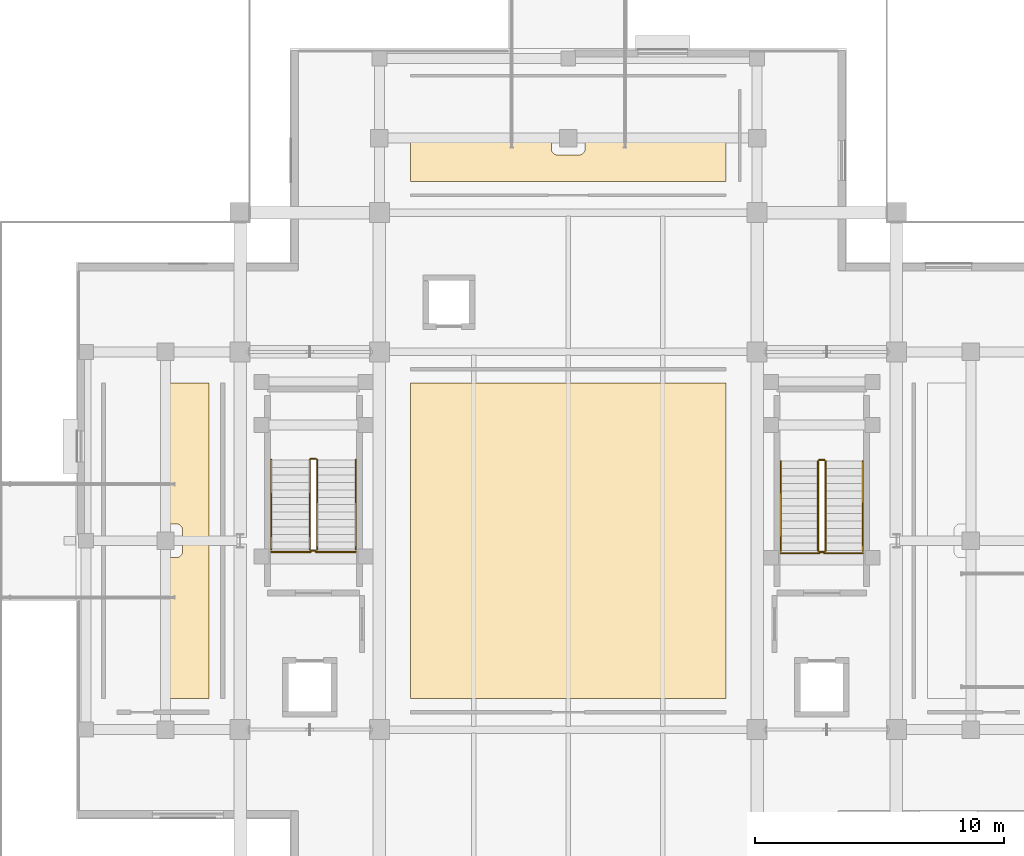
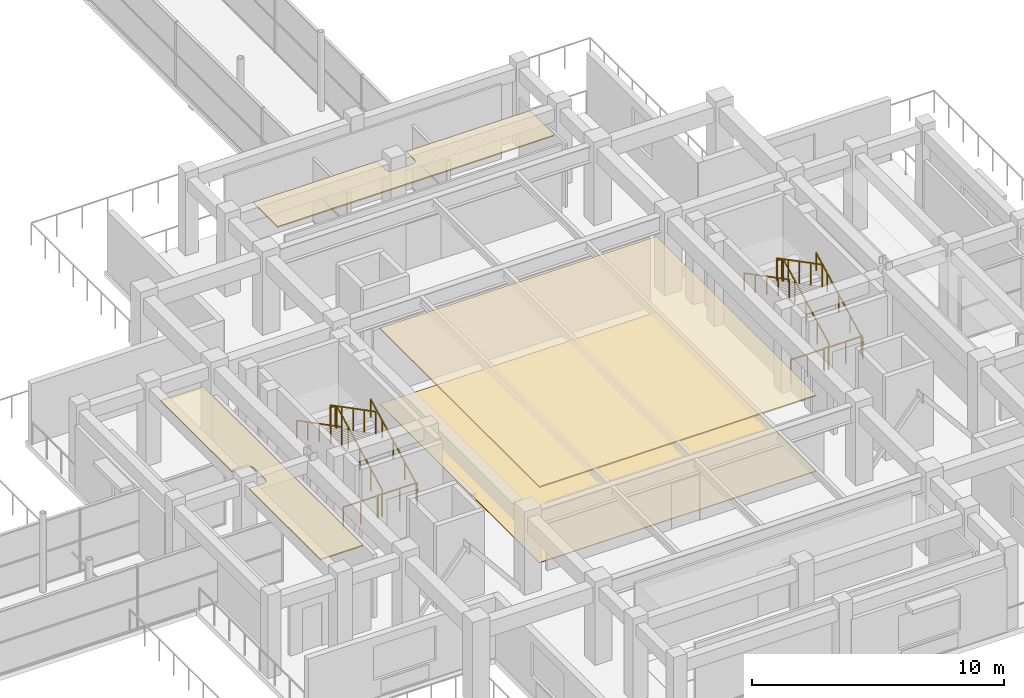
# One storey, part 62 of 72: 16 railings, 4 coverings.
"""IFC4 building model written with IfcOpenShell, lengths in metres."""

from ifc_helpers import new_model, si_unit, direction, frame, origin, origin_2d, place, context, subcontext, project, spatial, polyline, rectangle, outline, extrude, material, layer, layer_set, type_object, element, save


model = new_model("IFC4")

# Units and contexts
model_context = context("Model", 3, precision=1e-05, world=origin(), true_north=direction((0.0, 1.0)))
body_context = subcontext(model_context, "Body", "Model", "MODEL_VIEW")
ifc_project = project(units=[si_unit("LENGTHUNIT", "METRE"), si_unit("AREAUNIT", "SQUARE_METRE"), si_unit("VOLUMEUNIT", "CUBIC_METRE"), si_unit("PLANEANGLEUNIT", "RADIAN"), si_unit("MASSUNIT", "GRAM", prefix="KILO")], contexts=[model_context])

# Site, building, storey
site_placement = place(None, origin())
site = spatial("IfcSite", under=ifc_project, at=site_placement, CompositionType="ELEMENT")
building_placement = place(site_placement, origin())
building = spatial("IfcBuilding", under=site, at=building_placement, Name="Saryqyr Civic Hall", CompositionType="ELEMENT")
storey_placement = place(building_placement, frame((0.0, 0.0, 17.25)))
storey = spatial("IfcBuildingStorey", under=building, at=storey_placement, Name="L04", CompositionType="ELEMENT", Elevation=17.25)

# Coverings
ifc_material_1 = material(Name="Mineral-fibre acoustic ceiling tile", Category="acoustic_tile")
ifc_layer_1 = layer(ifc_material_1, 0.06005859375, Name="Mineral-fibre acoustic ceiling tile")
ifc_layer_set_1 = layer_set([ifc_layer_1], Name="Mineral-fibre acoustic ceiling tile")
covering_type_1 = type_object("IfcCoveringType", Name="INT-COV-CEIL-60", PredefinedType="CEILING", material=ifc_layer_set_1)
covering_1_placement = place(storey_placement, frame((0.0, 0.0, 3.64990234375)))
element("IfcCovering", 1, at=covering_1_placement, inside=storey, type_object=covering_type_1, Name="Acoustic ceiling Council Pre-Session Assembly Lobby", PredefinedType="CEILING", context=body_context, shape_type="SweptSolid", body=[
    extrude(outline(polyline([(50.64990234375, 77.64990234375), (50.64990234375, 90.35009765625), (63.35009765625, 90.35009765625), (63.35009765625, 77.64990234375), (50.64990234375, 77.64990234375)])), origin(), (0.0, 0.0, 1.0), 0.06005859375),
])
covering_2_placement = place(storey_placement, frame((0.0, 0.0, 3.64990234375)))
element("IfcCovering", 2, at=covering_2_placement, inside=storey, type_object=covering_type_1, Name="Acoustic ceiling Media Broadcast Control Room", PredefinedType="CEILING", context=body_context, shape_type="SweptSolid", body=[
    extrude(outline(polyline([(50.64990234375, 98.449951171875), (50.64990234375, 100.39990234375), (56.320068359375, 100.39990234375), (56.320068359375, 99.77001953125), (56.3212890625, 99.74560546875), (56.32470703125, 99.72119140625), (56.330810546875, 99.697509765625), (56.339111328125, 99.67431640625), (56.349609375, 99.652099609375), (56.362060546875, 99.631103515625), (56.376708984375, 99.611328125), (56.393310546875, 99.59326171875), (56.411376953125, 99.57666015625), (56.43115234375, 99.56201171875), (56.4521484375, 99.549560546875), (56.474365234375, 99.5390625), (56.497314453125, 99.53076171875), (56.521240234375, 99.52490234375), (56.54541015625, 99.521240234375), (56.570068359375, 99.52001953125), (57.429931640625, 99.52001953125), (57.45458984375, 99.521240234375), (57.478759765625, 99.52490234375), (57.502685546875, 99.53076171875), (57.525634765625, 99.5390625), (57.5478515625, 99.549560546875), (57.56884765625, 99.56201171875), (57.588623046875, 99.57666015625), (57.606689453125, 99.59326171875), (57.623291015625, 99.611328125), (57.637939453125, 99.631103515625), (57.650390625, 99.652099609375), (57.660888671875, 99.67431640625), (57.669189453125, 99.697509765625), (57.67529296875, 99.72119140625), (57.6787109375, 99.74560546875), (57.679931640625, 99.77001953125), (57.679931640625, 100.39990234375), (63.35009765625, 100.39990234375), (63.35009765625, 98.449951171875), (50.64990234375, 98.449951171875)])), origin(), (0.0, 0.0, 1.0), 0.06005859375),
])
covering_3_placement = place(storey_placement, frame((0.0, 0.0, 3.64990234375)))
element("IfcCovering", 3, at=covering_3_placement, inside=storey, type_object=covering_type_1, Name="Acoustic ceiling Voting Systems & AV Rack Room", PredefinedType="CEILING", context=body_context, shape_type="SweptSolid", body=[
    extrude(outline(polyline([(40.60009765625, 77.64990234375), (40.60009765625, 83.320068359375), (41.22998046875, 83.320068359375), (41.25439453125, 83.3212890625), (41.27880859375, 83.32470703125), (41.302490234375, 83.330810546875), (41.32568359375, 83.339111328125), (41.347900390625, 83.349609375), (41.368896484375, 83.362060546875), (41.388671875, 83.376708984375), (41.40673828125, 83.393310546875), (41.42333984375, 83.411376953125), (41.43798828125, 83.43115234375), (41.450439453125, 83.4521484375), (41.4609375, 83.474365234375), (41.46923828125, 83.497314453125), (41.47509765625, 83.521240234375), (41.478759765625, 83.54541015625), (41.47998046875, 83.570068359375), (41.47998046875, 84.429931640625), (41.478759765625, 84.45458984375), (41.47509765625, 84.478759765625), (41.46923828125, 84.502685546875), (41.4609375, 84.525634765625), (41.450439453125, 84.5478515625), (41.43798828125, 84.56884765625), (41.42333984375, 84.588623046875), (41.40673828125, 84.606689453125), (41.388671875, 84.623291015625), (41.368896484375, 84.637939453125), (41.347900390625, 84.650390625), (41.32568359375, 84.660888671875), (41.302490234375, 84.669189453125), (41.27880859375, 84.67529296875), (41.25439453125, 84.6787109375), (41.22998046875, 84.679931640625), (40.60009765625, 84.679931640625), (40.60009765625, 90.35009765625), (42.550048828125, 90.35009765625), (42.550048828125, 77.64990234375), (40.60009765625, 77.64990234375)])), origin(), (0.0, 0.0, 1.0), 0.06005859375),
])
ifc_material_2 = material(Name="Polished terrazzo tile", Category="stone")
ifc_layer_2 = layer(ifc_material_2, 0.030029296875, Name="Polished terrazzo tile")
ifc_layer_set_2 = layer_set([ifc_layer_2], Name="Polished terrazzo tile")
covering_type_2 = type_object("IfcCoveringType", Name="INT-COV-FLR-30", PredefinedType="FLOORING", material=ifc_layer_set_2)
covering_4_placement = place(storey_placement, origin())
element("IfcCovering", 4, at=covering_4_placement, inside=storey, type_object=covering_type_2, Name="Polished terrazzo flooring Council Pre-Session Assembly Lobby", PredefinedType="FLOORING", context=body_context, shape_type="SweptSolid", body=[
    extrude(outline(polyline([(50.64990234375, 77.64990234375), (50.64990234375, 90.35009765625), (63.35009765625, 90.35009765625), (63.35009765625, 77.64990234375), (50.64990234375, 77.64990234375)])), origin(), (0.0, 0.0, 1.0), 0.030029296875),
])

# Railings
ifc_material_3 = material(Name="Warm brushed brass and laminated glass", Category="glass")
ifc_layer_3 = layer(ifc_material_3, 0.06005859375, Name="Warm brushed brass and laminated glass")
ifc_layer_set_3 = layer_set([ifc_layer_3], Name="Warm brushed brass and laminated glass")
railing_type_1 = type_object("IfcRailingType", Name="INT-RLG-BAL-1100", PredefinedType="BALUSTRADE", material=ifc_layer_set_3)
railing_1_placement = place(storey_placement, frame((46.89990234375, 83.64990234375, 0.15576171875)))
element("IfcRailing", 5, at=railing_1_placement, inside=storey, type_object=railing_type_1, Name="L04 ST-1 stair guard 1", PredefinedType="BALUSTRADE", context=body_context, shape_type="SweptSolid", body=[
    extrude(rectangle(XDim=0.048095703125, YDim=0.048095703125, at=origin_2d()), frame((0.0, 0.0, 1.076171875), z_axis=(0.0, 0.887510277101, 0.460787920893), x_axis=(-1.0, 0.0, 0.0)), (0.0, 0.0, 1.0), 4.056396484375),
    extrude(rectangle(XDim=0.0419921875, YDim=0.0419921875, at=origin_2d()), origin(), (0.0, 0.0, 1.0), 1.052001953125),
    extrude(rectangle(XDim=0.0419921875, YDim=0.0419921875, at=origin_2d()), frame((0.0, 0.89990234375, 0.46728515625)), (0.0, 0.0, 1.0), 1.052001953125),
    extrude(rectangle(XDim=0.0419921875, YDim=0.0419921875, at=origin_2d()), frame((0.0, 1.800048828125, 0.9345703125)), (0.0, 0.0, 1.0), 1.052001953125),
    extrude(rectangle(XDim=0.0419921875, YDim=0.0419921875, at=origin_2d()), frame((0.0, 2.7001953125, 1.40185546875)), (0.0, 0.0, 1.0), 1.052001953125),
    extrude(rectangle(XDim=0.0419921875, YDim=0.0419921875, at=origin_2d()), frame((0.0, 3.60009765625, 1.869140625)), (0.0, 0.0, 1.0), 1.052001953125),
])
railing_2_placement = place(storey_placement, frame((46.85009765625, 87.300048828125, 2.02490234375)))
element("IfcRailing", 6, at=railing_2_placement, inside=storey, type_object=railing_type_1, Name="L04 ST-1 stair guard 2", PredefinedType="BALUSTRADE", context=body_context, shape_type="SweptSolid", body=[
    extrude(rectangle(XDim=0.048095703125, YDim=0.048095703125, at=origin_2d()), frame((0.0, 0.0, 1.076171875), z_axis=(-1.0, 0.0, 0.0), x_axis=(0.0, -1.0, 0.0)), (0.0, 0.0, 1.0), 0.2001953125),
    extrude(rectangle(XDim=0.0419921875, YDim=0.0419921875, at=origin_2d()), origin(), (0.0, 0.0, 1.0), 1.052001953125),
    extrude(rectangle(XDim=0.0419921875, YDim=0.0419921875, at=origin_2d()), frame((-0.2001953125, 0.0, 0.0)), (0.0, 0.0, 1.0), 1.052001953125),
])
railing_3_placement = place(storey_placement, frame((46.60009765625, 87.25, 2.1806640625)))
element("IfcRailing", 7, at=railing_3_placement, inside=storey, type_object=railing_type_1, Name="L04 ST-1 stair guard 3", PredefinedType="BALUSTRADE", context=body_context, shape_type="SweptSolid", body=[
    extrude(rectangle(XDim=0.048095703125, YDim=0.048095703125, at=origin_2d()), frame((0.0, 0.0, 1.076171875), z_axis=(0.0, -0.887485663002, 0.460835326299), x_axis=(1.0, 0.0, 0.0)), (0.0, 0.0, 1.0), 4.056396484375),
    extrude(rectangle(XDim=0.0419921875, YDim=0.0419921875, at=origin_2d()), origin(), (0.0, 0.0, 1.0), 1.052001953125),
    extrude(rectangle(XDim=0.0419921875, YDim=0.0419921875, at=origin_2d()), frame((0.0, -0.89990234375, 0.46728515625)), (0.0, 0.0, 1.0), 1.052001953125),
    extrude(rectangle(XDim=0.0419921875, YDim=0.0419921875, at=origin_2d()), frame((0.0, -1.800048828125, 0.9345703125)), (0.0, 0.0, 1.0), 1.052001953125),
    extrude(rectangle(XDim=0.0419921875, YDim=0.0419921875, at=origin_2d()), frame((0.0, -2.7001953125, 1.402099609375)), (0.0, 0.0, 1.0), 1.052001953125),
    extrude(rectangle(XDim=0.0419921875, YDim=0.0419921875, at=origin_2d()), frame((0.0, -3.60009765625, 1.869384765625)), (0.0, 0.0, 1.0), 1.052001953125),
])
railing_4_placement = place(storey_placement, frame((46.85009765625, 83.60009765625, 0.0)))
element("IfcRailing", 8, at=railing_4_placement, inside=storey, type_object=railing_type_1, Name="L04 ST-1 stair guard 4", PredefinedType="BALUSTRADE", context=body_context, shape_type="SweptSolid", body=[
    extrude(rectangle(XDim=0.048095703125, YDim=0.048095703125, at=origin_2d()), frame((0.0, 0.0, 1.076171875), z_axis=(-1.0, 0.0, 0.0), x_axis=(0.0, -1.0, 0.0)), (0.0, 0.0, 1.0), 0.2001953125),
    extrude(rectangle(XDim=0.0419921875, YDim=0.0419921875, at=origin_2d()), origin(), (0.0, 0.0, 1.0), 1.052001953125),
    extrude(rectangle(XDim=0.0419921875, YDim=0.0419921875, at=origin_2d()), frame((-0.2001953125, 0.0, 0.0)), (0.0, 0.0, 1.0), 1.052001953125),
])
railing_5_placement = place(storey_placement, frame((67.35009765625, 83.60009765625, 0.15576171875)))
element("IfcRailing", 9, at=railing_5_placement, inside=storey, type_object=railing_type_1, Name="L04 ST-2 stair guard 1", PredefinedType="BALUSTRADE", context=body_context, shape_type="SweptSolid", body=[
    extrude(rectangle(XDim=0.048095703125, YDim=0.048095703125, at=origin_2d()), frame((0.0, 0.0, 1.076171875), z_axis=(0.0, 0.887497496945, 0.460812535545), x_axis=(-1.0, 0.0, 0.0)), (0.0, 0.0, 1.0), 4.05615234375),
    extrude(rectangle(XDim=0.0419921875, YDim=0.0419921875, at=origin_2d()), origin(), (0.0, 0.0, 1.0), 1.052001953125),
    extrude(rectangle(XDim=0.0419921875, YDim=0.0419921875, at=origin_2d()), frame((0.0, 0.89990234375, 0.46728515625)), (0.0, 0.0, 1.0), 1.052001953125),
    extrude(rectangle(XDim=0.0419921875, YDim=0.0419921875, at=origin_2d()), frame((0.0, 1.7998046875, 0.9345703125)), (0.0, 0.0, 1.0), 1.052001953125),
    extrude(rectangle(XDim=0.0419921875, YDim=0.0419921875, at=origin_2d()), frame((0.0, 2.699951171875, 1.40185546875)), (0.0, 0.0, 1.0), 1.052001953125),
    extrude(rectangle(XDim=0.0419921875, YDim=0.0419921875, at=origin_2d()), frame((0.0, 3.599853515625, 1.869140625)), (0.0, 0.0, 1.0), 1.052001953125),
])
railing_6_placement = place(storey_placement, frame((67.300048828125, 87.25, 2.02490234375)))
element("IfcRailing", 10, at=railing_6_placement, inside=storey, type_object=railing_type_1, Name="L04 ST-2 stair guard 2", PredefinedType="BALUSTRADE", context=body_context, shape_type="SweptSolid", body=[
    extrude(rectangle(XDim=0.048095703125, YDim=0.048095703125, at=origin_2d()), frame((0.0, 0.0, 1.076171875), z_axis=(-1.0, 0.0, 0.0), x_axis=(0.0, -1.0, 0.0)), (0.0, 0.0, 1.0), 0.199951171875),
    extrude(rectangle(XDim=0.0419921875, YDim=0.0419921875, at=origin_2d()), origin(), (0.0, 0.0, 1.0), 1.052001953125),
    extrude(rectangle(XDim=0.0419921875, YDim=0.0419921875, at=origin_2d()), frame((-0.199951171875, 0.0, 0.0)), (0.0, 0.0, 1.0), 1.052001953125),
])
railing_7_placement = place(storey_placement, frame((67.050048828125, 87.199951171875, 2.1806640625)))
element("IfcRailing", 11, at=railing_7_placement, inside=storey, type_object=railing_type_1, Name="L04 ST-2 stair guard 3", PredefinedType="BALUSTRADE", context=body_context, shape_type="SweptSolid", body=[
    extrude(rectangle(XDim=0.048095703125, YDim=0.048095703125, at=origin_2d()), frame((0.0, 0.0, 1.076171875), z_axis=(0.0, -0.887472880572, 0.460859942119), x_axis=(1.0, 0.0, 0.0)), (0.0, 0.0, 1.0), 4.056396484375),
    extrude(rectangle(XDim=0.0419921875, YDim=0.0419921875, at=origin_2d()), origin(), (0.0, 0.0, 1.0), 1.052001953125),
    extrude(rectangle(XDim=0.0419921875, YDim=0.0419921875, at=origin_2d()), frame((0.0, -0.89990234375, 0.46728515625)), (0.0, 0.0, 1.0), 1.052001953125),
    extrude(rectangle(XDim=0.0419921875, YDim=0.0419921875, at=origin_2d()), frame((0.0, -1.7998046875, 0.9345703125)), (0.0, 0.0, 1.0), 1.052001953125),
    extrude(rectangle(XDim=0.0419921875, YDim=0.0419921875, at=origin_2d()), frame((0.0, -2.699951171875, 1.402099609375)), (0.0, 0.0, 1.0), 1.052001953125),
    extrude(rectangle(XDim=0.0419921875, YDim=0.0419921875, at=origin_2d()), frame((0.0, -3.599853515625, 1.869384765625)), (0.0, 0.0, 1.0), 1.052001953125),
])
railing_8_placement = place(storey_placement, frame((67.300048828125, 83.550048828125, 0.0)))
element("IfcRailing", 12, at=railing_8_placement, inside=storey, type_object=railing_type_1, Name="L04 ST-2 stair guard 4", PredefinedType="BALUSTRADE", context=body_context, shape_type="SweptSolid", body=[
    extrude(rectangle(XDim=0.048095703125, YDim=0.048095703125, at=origin_2d()), frame((0.0, 0.0, 1.076171875), z_axis=(-1.0, 0.0, 0.0), x_axis=(0.0, -1.0, 0.0)), (0.0, 0.0, 1.0), 0.199951171875),
    extrude(rectangle(XDim=0.0419921875, YDim=0.0419921875, at=origin_2d()), origin(), (0.0, 0.0, 1.0), 1.052001953125),
    extrude(rectangle(XDim=0.0419921875, YDim=0.0419921875, at=origin_2d()), frame((-0.199951171875, 0.0, 0.0)), (0.0, 0.0, 1.0), 1.052001953125),
])
railing_9_placement = place(storey_placement, frame((65.544921875, 83.5, 0.0)))
element("IfcRailing", 13, at=railing_9_placement, inside=storey, type_object=railing_type_1, Name="Interior deck safety balustrade L04-099", PredefinedType="BALUSTRADE", context=body_context, shape_type="SweptSolid", body=[
    extrude(rectangle(XDim=0.048095703125, YDim=0.048095703125, at=origin_2d()), frame((0.0, 0.0, 1.09619140625), z_axis=(1.0, 0.0, 0.0), x_axis=(0.0, 1.0, 0.0)), (0.0, 0.0, 1.0), 1.55517578125),
    extrude(rectangle(XDim=0.0419921875, YDim=0.0419921875, at=origin_2d()), origin(), (0.0, 0.0, 1.0), 1.072021484375),
    extrude(rectangle(XDim=0.0419921875, YDim=0.0419921875, at=origin_2d()), frame((0.777587890625, 0.0, 0.0)), (0.0, 0.0, 1.0), 1.072021484375),
    extrude(rectangle(XDim=0.0419921875, YDim=0.0419921875, at=origin_2d()), frame((1.55517578125, 0.0, 0.0)), (0.0, 0.0, 1.0), 1.072021484375),
])
railing_10_placement = place(storey_placement, frame((67.300048828125, 83.5, 0.0)))
element("IfcRailing", 14, at=railing_10_placement, inside=storey, type_object=railing_type_1, Name="Interior deck safety balustrade L04-100", PredefinedType="BALUSTRADE", context=body_context, shape_type="SweptSolid", body=[
    extrude(rectangle(XDim=0.048095703125, YDim=0.048095703125, at=origin_2d()), frame((0.0, 0.0, 1.09619140625), z_axis=(1.0, 0.0, 0.0), x_axis=(0.0, 1.0, 0.0)), (0.0, 0.0, 1.0), 1.554931640625),
    extrude(rectangle(XDim=0.0419921875, YDim=0.0419921875, at=origin_2d()), origin(), (0.0, 0.0, 1.0), 1.072021484375),
    extrude(rectangle(XDim=0.0419921875, YDim=0.0419921875, at=origin_2d()), frame((0.77734375, 0.0, 0.0)), (0.0, 0.0, 1.0), 1.072021484375),
    extrude(rectangle(XDim=0.0419921875, YDim=0.0419921875, at=origin_2d()), frame((1.554931640625, 0.0, 0.0)), (0.0, 0.0, 1.0), 1.072021484375),
])
for number, where, name in (
    (15, (45.044921875, 83.550048828125, 0.0), "Interior deck safety balustrade L04-101"),
    (16, (46.85009765625, 83.550048828125, 0.0), "Interior deck safety balustrade L04-102"),
):
    element("IfcRailing", number, at=place(storey_placement, frame(where)), inside=storey, type_object=railing_type_1, Name=name, PredefinedType="BALUSTRADE", context=body_context, shape_type="SweptSolid", body=[
        extrude(rectangle(XDim=0.048095703125, YDim=0.048095703125, at=origin_2d()), frame((0.0, 0.0, 1.09619140625), z_axis=(1.0, 0.0, 0.0), x_axis=(0.0, 1.0, 0.0)), (0.0, 0.0, 1.0), 1.60498046875),
        extrude(rectangle(XDim=0.0419921875, YDim=0.0419921875, at=origin_2d()), origin(), (0.0, 0.0, 1.0), 1.072021484375),
        extrude(rectangle(XDim=0.0419921875, YDim=0.0419921875, at=origin_2d()), frame((0.802490234375, 0.0, 0.0)), (0.0, 0.0, 1.0), 1.072021484375),
        extrude(rectangle(XDim=0.0419921875, YDim=0.0419921875, at=origin_2d()), frame((1.60498046875, 0.0, 0.0)), (0.0, 0.0, 1.0), 1.072021484375),
    ])
ifc_material_4 = material(Name="Stainless steel", Category="steel")
ifc_layer_4 = layer(ifc_material_4, 0.050048828125, Name="Stainless steel")
ifc_layer_set_4 = layer_set([ifc_layer_4], Name="Stainless steel")
railing_type_2 = type_object("IfcRailingType", Name="INT-RLG-HND-900", PredefinedType="HANDRAIL", material=ifc_layer_set_4)
railing_11_placement = place(storey_placement, frame((48.449951171875, 83.64990234375, 0.15576171875)))
element("IfcRailing", 17, at=railing_11_placement, inside=storey, type_object=railing_type_2, Name="L04 ST-1 stair handrail 1", PredefinedType="HANDRAIL", context=body_context, shape_type="SweptSolid", body=[
    extrude(rectangle(XDim=0.048095703125, YDim=0.048095703125, at=origin_2d()), frame((0.0, 0.0, 0.8759765625), z_axis=(0.0, 0.887510277101, 0.460787920893), x_axis=(-1.0, 0.0, 0.0)), (0.0, 0.0, 1.0), 4.056396484375),
    extrude(rectangle(XDim=0.0419921875, YDim=0.0419921875, at=origin_2d()), origin(), (0.0, 0.0, 1.0), 0.851806640625),
    extrude(rectangle(XDim=0.0419921875, YDim=0.0419921875, at=origin_2d()), frame((0.0, 0.89990234375, 0.46728515625)), (0.0, 0.0, 1.0), 0.851806640625),
    extrude(rectangle(XDim=0.0419921875, YDim=0.0419921875, at=origin_2d()), frame((0.0, 1.800048828125, 0.9345703125)), (0.0, 0.0, 1.0), 0.851806640625),
    extrude(rectangle(XDim=0.0419921875, YDim=0.0419921875, at=origin_2d()), frame((0.0, 2.7001953125, 1.40185546875)), (0.0, 0.0, 1.0), 0.851806640625),
    extrude(rectangle(XDim=0.0419921875, YDim=0.0419921875, at=origin_2d()), frame((0.0, 3.60009765625, 1.869140625)), (0.0, 0.0, 1.0), 0.851806640625),
])
railing_12_placement = place(storey_placement, frame((45.050048828125, 87.25, 2.1806640625)))
element("IfcRailing", 18, at=railing_12_placement, inside=storey, type_object=railing_type_2, Name="L04 ST-1 stair handrail 2", PredefinedType="HANDRAIL", context=body_context, shape_type="SweptSolid", body=[
    extrude(rectangle(XDim=0.048095703125, YDim=0.048095703125, at=origin_2d()), frame((0.0, 0.0, 0.8759765625), z_axis=(0.0, -0.887485663002, 0.460835326299), x_axis=(1.0, 0.0, 0.0)), (0.0, 0.0, 1.0), 4.056396484375),
    extrude(rectangle(XDim=0.0419921875, YDim=0.0419921875, at=origin_2d()), origin(), (0.0, 0.0, 1.0), 0.851806640625),
    extrude(rectangle(XDim=0.0419921875, YDim=0.0419921875, at=origin_2d()), frame((0.0, -0.89990234375, 0.46728515625)), (0.0, 0.0, 1.0), 0.851806640625),
    extrude(rectangle(XDim=0.0419921875, YDim=0.0419921875, at=origin_2d()), frame((0.0, -1.800048828125, 0.9345703125)), (0.0, 0.0, 1.0), 0.851806640625),
    extrude(rectangle(XDim=0.0419921875, YDim=0.0419921875, at=origin_2d()), frame((0.0, -2.7001953125, 1.402099609375)), (0.0, 0.0, 1.0), 0.851806640625),
    extrude(rectangle(XDim=0.0419921875, YDim=0.0419921875, at=origin_2d()), frame((0.0, -3.60009765625, 1.869384765625)), (0.0, 0.0, 1.0), 0.851806640625),
])
railing_13_placement = place(storey_placement, frame((68.85009765625, 83.60009765625, 0.15576171875)))
element("IfcRailing", 19, at=railing_13_placement, inside=storey, type_object=railing_type_2, Name="L04 ST-2 stair handrail 1", PredefinedType="HANDRAIL", context=body_context, shape_type="SweptSolid", body=[
    extrude(rectangle(XDim=0.048095703125, YDim=0.048095703125, at=origin_2d()), frame((0.0, 0.0, 0.8759765625), z_axis=(0.0, 0.887497496945, 0.460812535545), x_axis=(-1.0, 0.0, 0.0)), (0.0, 0.0, 1.0), 4.05615234375),
    extrude(rectangle(XDim=0.0419921875, YDim=0.0419921875, at=origin_2d()), origin(), (0.0, 0.0, 1.0), 0.851806640625),
    extrude(rectangle(XDim=0.0419921875, YDim=0.0419921875, at=origin_2d()), frame((0.0, 0.89990234375, 0.46728515625)), (0.0, 0.0, 1.0), 0.851806640625),
    extrude(rectangle(XDim=0.0419921875, YDim=0.0419921875, at=origin_2d()), frame((0.0, 1.7998046875, 0.9345703125)), (0.0, 0.0, 1.0), 0.851806640625),
    extrude(rectangle(XDim=0.0419921875, YDim=0.0419921875, at=origin_2d()), frame((0.0, 2.699951171875, 1.40185546875)), (0.0, 0.0, 1.0), 0.851806640625),
    extrude(rectangle(XDim=0.0419921875, YDim=0.0419921875, at=origin_2d()), frame((0.0, 3.599853515625, 1.869140625)), (0.0, 0.0, 1.0), 0.851806640625),
])
railing_14_placement = place(storey_placement, frame((65.550048828125, 87.199951171875, 2.1806640625)))
element("IfcRailing", 20, at=railing_14_placement, inside=storey, type_object=railing_type_2, Name="L04 ST-2 stair handrail 2", PredefinedType="HANDRAIL", context=body_context, shape_type="SweptSolid", body=[
    extrude(rectangle(XDim=0.048095703125, YDim=0.048095703125, at=origin_2d()), frame((0.0, 0.0, 0.8759765625), z_axis=(0.0, -0.887472880572, 0.460859942119), x_axis=(1.0, 0.0, 0.0)), (0.0, 0.0, 1.0), 4.056396484375),
    extrude(rectangle(XDim=0.0419921875, YDim=0.0419921875, at=origin_2d()), origin(), (0.0, 0.0, 1.0), 0.851806640625),
    extrude(rectangle(XDim=0.0419921875, YDim=0.0419921875, at=origin_2d()), frame((0.0, -0.89990234375, 0.46728515625)), (0.0, 0.0, 1.0), 0.851806640625),
    extrude(rectangle(XDim=0.0419921875, YDim=0.0419921875, at=origin_2d()), frame((0.0, -1.7998046875, 0.9345703125)), (0.0, 0.0, 1.0), 0.851806640625),
    extrude(rectangle(XDim=0.0419921875, YDim=0.0419921875, at=origin_2d()), frame((0.0, -2.699951171875, 1.402099609375)), (0.0, 0.0, 1.0), 0.851806640625),
    extrude(rectangle(XDim=0.0419921875, YDim=0.0419921875, at=origin_2d()), frame((0.0, -3.599853515625, 1.869384765625)), (0.0, 0.0, 1.0), 0.851806640625),
])

save(model, "model.ifc")
